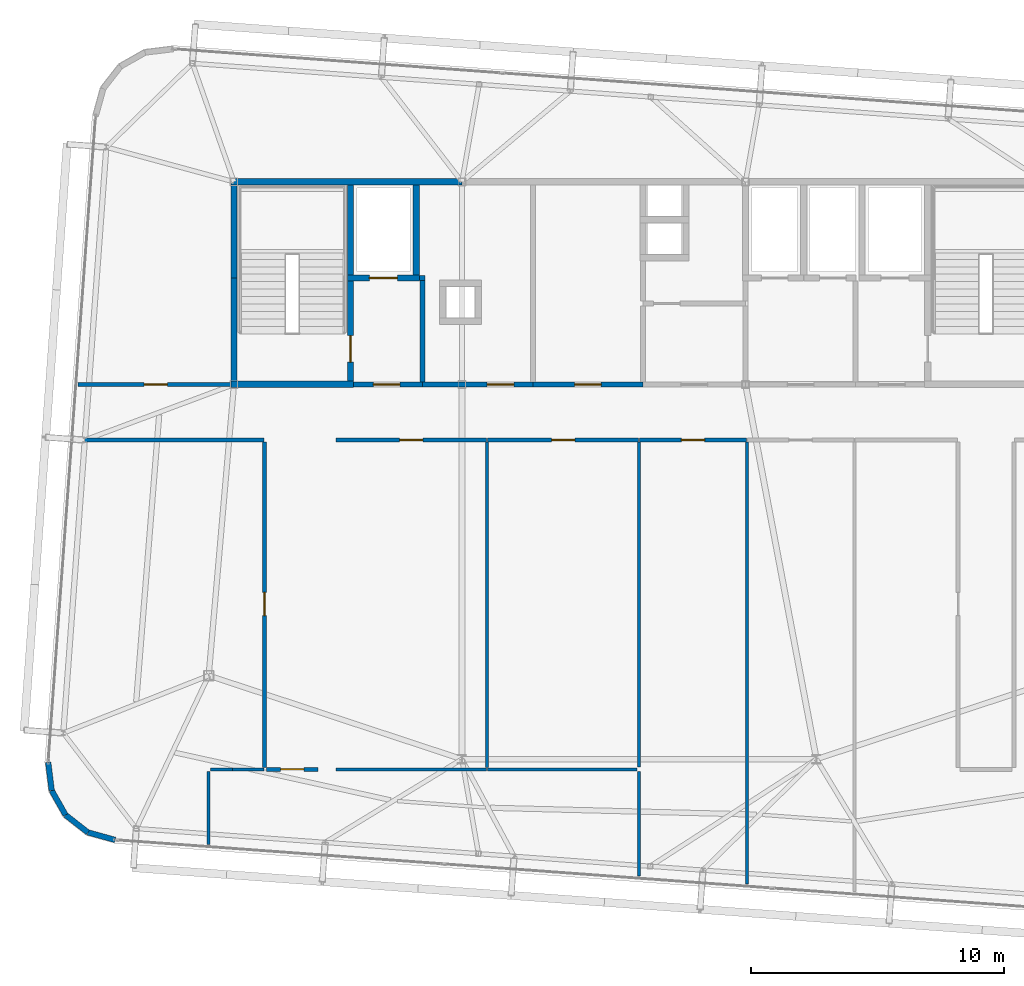
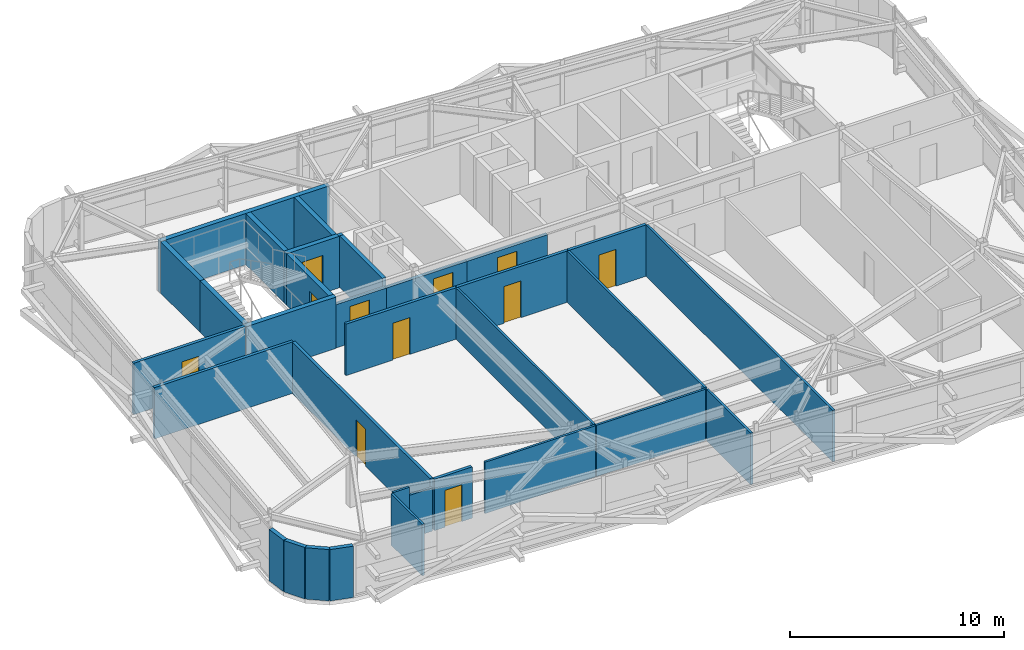
# One storey, part 31 of 34: 33 walls, 11 doors, 11 openings.
"""IFC4 building model written with IfcOpenShell, lengths in metres."""

from ifc_helpers import new_model, si_unit, direction, frame, frame_2d, origin, place, context, subcontext, project, spatial, rectangle, extrude, source, transform, mapped, material, layer, layer_set, type_object, element, fill, save


model = new_model("IFC4")

# Units and contexts
model_context = context("Model", 3, precision=1e-05, world=origin(), true_north=direction((0.0, 1.0)))
body_context = subcontext(model_context, "Body", "Model", "MODEL_VIEW")
ifc_project = project(units=[si_unit("LENGTHUNIT", "METRE"), si_unit("AREAUNIT", "SQUARE_METRE"), si_unit("VOLUMEUNIT", "CUBIC_METRE"), si_unit("PLANEANGLEUNIT", "RADIAN"), si_unit("MASSUNIT", "GRAM", prefix="KILO")], contexts=[model_context])

# Site, building, storey
site_placement = place(None, origin())
site = spatial("IfcSite", under=ifc_project, at=site_placement, CompositionType="ELEMENT")
building_placement = place(site_placement, origin())
building = spatial("IfcBuilding", under=site, at=building_placement, Name="Taldren Reach Tower", CompositionType="ELEMENT")
storey_placement = place(building_placement, frame((0.0, 0.0, 242.89990234375)))
storey = spatial("IfcBuildingStorey", under=building, at=storey_placement, Name="L74", CompositionType="ELEMENT", Elevation=242.89990234375)

# Walls
ifc_material_1 = material(Name="Pale Champagne Anodised Aluminium Cladding", Category="aluminium")
ifc_layer_1 = layer(ifc_material_1, 0.04, Name="Pale Champagne Anodised Aluminium Cladding", Category="aluminium")
ifc_material_2 = material(Name="Mineral Wool Acoustic Insulation", Category="insulation")
ifc_layer_2 = layer(ifc_material_2, 0.06, Name="Mineral Wool Acoustic Insulation", Category="insulation")
ifc_material_3 = material(Name="Steel Gr 350 (C350L0)", Category="steel")
ifc_layer_3 = layer(ifc_material_3, 0.12, Name="Steel Gr 350 (C350L0)", Category="steel")
ifc_layer_set_1 = layer_set([ifc_layer_1, ifc_layer_2, ifc_layer_3], Name="Pale Champagne Aluminium Cladding and Steel Gr 350 Stud Framing")
wall_type_1 = type_object("IfcWallType", Name="EW-CRN-220", PredefinedType="SOLIDWALL", material=ifc_layer_set_1)
shared_shape_1 = source(origin(), body_context, "Body", "SweptSolid", [
    extrude(rectangle(XDim=1.115966796875, YDim=0.219970703125, at=frame_2d((0.55810546875, 0.0))), origin(), (0.0, 0.0, 1.0), 2.93017578125),
])
for number, where, z_axis, x_axis, name in (
    (1, (11.66259765625, 9.072021484375, 0.0), (0.0, 0.0, 1.0), (0.122742076028, -0.992438604032, 0.0), "Rounded-corner pale-metal facade wall L74-SW1"),
    (2, (11.799560546875, 7.964599609375, 0.0), (0.0, 0.0, 1.0), (0.493073284892, -0.869987779067, 0.0), "Rounded-corner pale-metal facade wall L74-SW2"),
    (3, (12.349853515625, 6.99365234375, 0.0), (0.0, 0.0, 1.0), (0.788597772321, -0.614909386406, 0.0), "Rounded-corner pale-metal facade wall L74-SW3"),
):
    element("IfcWall", number, at=place(storey_placement, frame(where, z_axis=z_axis, x_axis=x_axis)), inside=storey, type_object=wall_type_1, Name=name, PredefinedType="SOLIDWALL", context=body_context, shape_type="MappedRepresentation", body=[
        mapped(shared_shape_1, transform((0.0, 0.0, 0.0), scale=1.0)),
    ])
shared_shape_2 = source(origin(), body_context, "Body", "SweptSolid", [
    extrude(rectangle(XDim=1.11572265625, YDim=0.219970703125, at=frame_2d((0.557861328125, 0.0))), origin(), (0.0, 0.0, 1.0), 2.93017578125),
])
wall_1_placement = place(storey_placement, frame((13.22998046875, 6.307373046875, 0.0), z_axis=(0.0, 0.0, 1.0), x_axis=(0.963890028874, -0.266300605026, 0.0)))
element("IfcWall", 4, at=wall_1_placement, inside=storey, type_object=wall_type_1, Name="Rounded-corner pale-metal facade wall L74-SW4", PredefinedType="SOLIDWALL", context=body_context, shape_type="MappedRepresentation", body=[
    mapped(shared_shape_2, transform((0.0, 0.0, 0.0), scale=1.0)),
])

# Wall, opening, door
ifc_material_4 = material(Name="Concrete S50 (50 MPa)", Category="concrete")
ifc_layer_4 = layer(ifc_material_4, 0.199951171875)
ifc_layer_set_2 = layer_set([ifc_layer_4], Name="Concrete S50 (50 MPa)")
wall_type_2 = type_object("IfcWallType", Name="IW-CORE-200", PredefinedType="SOLIDWALL", material=ifc_layer_set_2)
shared_shape_3 = source(origin(), body_context, "Body", "SweptSolid", [
    extrude(rectangle(XDim=4.35009765625, YDim=0.199951171875, at=frame_2d((2.175048828125, 0.0))), origin(), (0.0, 0.0, 1.0), 2.47021484375),
])
wall_2_placement = place(storey_placement, frame((30.800048828125, 24.0, 0.0), z_axis=(0.0, 0.0, 1.0), x_axis=(-1.0, 0.0, 0.0)))
wall_2 = element("IfcWall", 5, at=wall_2_placement, inside=storey, type_object=wall_type_2, Name="Rear Core Shear Wall W-INT-L74-033", PredefinedType="SOLIDWALL", context=body_context, shape_type="MappedRepresentation", body=[
    mapped(shared_shape_3, transform((0.0, 0.0, 0.0), scale=1.0)),
])
shared_shape_4 = source(origin(), body_context, "Body", "SweptSolid", [
    extrude(rectangle(XDim=1.050048828125, YDim=2.10009765625, at=frame_2d((0.52490234375, 1.050048828125))), frame((0.0, 0.10986328125, 0.0), z_axis=(0.0, -1.0, 0.0), x_axis=(1.0, 0.0, 0.0)), (0.0, 0.0, 1.0), 0.219970703125),
])
opening_1_placement = place(wall_2_placement, frame((0.75, 0.0, 0.0)))
opening_1 = element("IfcOpeningElement", 6, at=opening_1_placement, cuts=wall_2, Name="Opening DF-105", PredefinedType="OPENING", context=body_context, shape_type="MappedRepresentation", body=[
    mapped(shared_shape_4, transform((0.0, 0.0, 0.0), scale=1.0)),
])
ifc_material_5 = material(Name="Fire-Rated Care and Stair Exit Door")
door_type_1 = type_object("IfcDoorType", Name="ID-FIRE-105", OperationType="NOTDEFINED", PredefinedType="DOOR", material=ifc_material_5)
shared_shape_5 = source(origin(), body_context, "Body", "SweptSolid", [
    extrude(rectangle(XDim=1.050048828125, YDim=2.10009765625, at=frame_2d((0.52490234375, 1.050048828125))), frame((0.0, 0.02490234375, 0.0), z_axis=(0.0, -1.0, 0.0), x_axis=(1.0, 0.0, 0.0)), (0.0, 0.0, 1.0), 0.050048828125),
])
door_1_placement = place(opening_1_placement, frame((1.050048828125, 0.0, 0.0), z_axis=(0.0, 0.0, 1.0), x_axis=(-1.0, 0.0, 0.0)))
door_1 = element("IfcDoor", 7, at=door_1_placement, inside=storey, type_object=door_type_1, Name="Interior Door DR-L74-006", OperationType="SINGLE_SWING_RIGHT", OverallHeight=2.10009765625, OverallWidth=1.050048828125, PredefinedType="DOOR", context=body_context, shape_type="MappedRepresentation", body=[
    mapped(shared_shape_5, transform((0.0, 0.0, 0.0), scale=1.0)),
])
fill(opening_1, door_1)

ifc_material_6 = material(Name="Fire-Rated Acoustic Plasterboard Stud Wall", Category="gypsum")
ifc_layer_5 = layer(ifc_material_6, 0.159912109375)
ifc_layer_set_3 = layer_set([ifc_layer_5], Name="Fire-Rated Acoustic Plasterboard Stud Wall")
wall_type_3 = type_object("IfcWallType", Name="IW-FIRE-160", PredefinedType="PARTITIONING", material=ifc_layer_set_3)
shared_shape_6 = source(origin(), body_context, "Body", "SweptSolid", [
    extrude(rectangle(XDim=2.0400390625, YDim=0.159912109375, at=frame_2d((1.02001953125, 0.0))), origin(), (0.0, 0.0, 1.0), 2.93017578125),
])
wall_3_placement = place(storey_placement, frame((22.320068359375, 8.800048828125, 0.0), z_axis=(0.0, 0.0, 1.0), x_axis=(-1.0, 0.0, 0.0)))
wall_3 = element("IfcWall", 8, at=wall_3_placement, inside=storey, type_object=wall_type_3, Name="Interior Partition Wall W-INT-L74-039", PredefinedType="PARTITIONING", context=body_context, shape_type="MappedRepresentation", body=[
    mapped(shared_shape_6, transform((0.0, 0.0, 0.0), scale=1.0)),
])
shared_shape_7 = source(origin(), body_context, "Body", "SweptSolid", [
    extrude(rectangle(XDim=0.919921875, YDim=2.10009765625, at=frame_2d((0.4599609375, 1.050048828125))), frame((0.0, 0.08984375, 0.0), z_axis=(0.0, -1.0, 0.0), x_axis=(1.0, 0.0, 0.0)), (0.0, 0.0, 1.0), 0.179931640625),
])
opening_2_placement = place(wall_3_placement, frame((0.56005859375, 0.0, 0.0)))
opening_2 = element("IfcOpeningElement", 9, at=opening_2_placement, cuts=wall_3, Name="Opening DI-092", PredefinedType="OPENING", context=body_context, shape_type="MappedRepresentation", body=[
    mapped(shared_shape_7, transform((0.0, 0.0, 0.0), scale=1.0)),
])
ifc_material_7 = material(Name="Solid-Core Timber Suite Door", Category="wood")
door_type_2 = type_object("IfcDoorType", Name="ID-INT-092", OperationType="NOTDEFINED", PredefinedType="DOOR", material=ifc_material_7)
shared_shape_8 = source(origin(), body_context, "Body", "SweptSolid", [
    extrude(rectangle(XDim=0.919921875, YDim=2.10009765625, at=frame_2d((0.4599609375, 1.050048828125))), frame((0.0, 0.02490234375, 0.0), z_axis=(0.0, -1.0, 0.0), x_axis=(1.0, 0.0, 0.0)), (0.0, 0.0, 1.0), 0.050048828125),
])
door_2_placement = place(opening_2_placement, origin())
door_2 = element("IfcDoor", 10, at=door_2_placement, inside=storey, type_object=door_type_2, Name="Interior Door DR-L74-010", OperationType="SINGLE_SWING_LEFT", OverallHeight=2.10009765625, OverallWidth=0.919921875, PredefinedType="DOOR", context=body_context, shape_type="MappedRepresentation", body=[
    mapped(shared_shape_8, transform((0.0, 0.0, 0.0), scale=1.0)),
])
fill(opening_2, door_2)

shared_shape_9 = source(origin(), body_context, "Body", "SweptSolid", [
    extrude(rectangle(XDim=5.95947265625, YDim=0.159912109375, at=frame_2d((2.979736328125, 0.0))), origin(), (0.0, 0.0, 1.0), 2.93017578125),
])
wall_4_placement = place(storey_placement, frame((28.979736328125, 21.800048828125, 0.0), z_axis=(0.0, 0.0, 1.0), x_axis=(-1.0, 0.0, 0.0)))
wall_4 = element("IfcWall", 11, at=wall_4_placement, inside=storey, type_object=wall_type_3, Name="Interior Partition Wall W-INT-L74-043", PredefinedType="PARTITIONING", context=body_context, shape_type="MappedRepresentation", body=[
    mapped(shared_shape_9, transform((0.0, 0.0, 0.0), scale=1.0)),
])
opening_3_placement = place(wall_4_placement, frame((2.519775390625, 0.0, 0.0)))
opening_3 = element("IfcOpeningElement", 12, at=opening_3_placement, cuts=wall_4, Name="Opening DI-092", PredefinedType="OPENING", context=body_context, shape_type="MappedRepresentation", body=[
    mapped(shared_shape_7, transform((0.0, 0.0, 0.0), scale=1.0)),
])
door_3_placement = place(opening_3_placement, origin())
door_3 = element("IfcDoor", 13, at=door_3_placement, inside=storey, type_object=door_type_2, Name="Interior Door DR-L74-013", OperationType="SINGLE_SWING_RIGHT", OverallHeight=2.10009765625, OverallWidth=0.919921875, PredefinedType="DOOR", context=body_context, shape_type="MappedRepresentation", body=[
    mapped(shared_shape_8, transform((0.0, 0.0, 0.0), scale=1.0)),
])
fill(opening_3, door_3)

wall_5_placement = place(storey_placement, frame((34.979736328125, 21.800048828125, 0.0), z_axis=(0.0, 0.0, 1.0), x_axis=(-1.0, 0.0, 0.0)))
wall_5 = element("IfcWall", 14, at=wall_5_placement, inside=storey, type_object=wall_type_3, Name="Interior Partition Wall W-INT-L74-044", PredefinedType="PARTITIONING", context=body_context, shape_type="MappedRepresentation", body=[
    mapped(shared_shape_9, transform((0.0, 0.0, 0.0), scale=1.0)),
])
opening_4_placement = place(wall_5_placement, frame((2.519775390625, 0.0, 0.0)))
opening_4 = element("IfcOpeningElement", 15, at=opening_4_placement, cuts=wall_5, Name="Opening DI-092", PredefinedType="OPENING", context=body_context, shape_type="MappedRepresentation", body=[
    mapped(shared_shape_7, transform((0.0, 0.0, 0.0), scale=1.0)),
])
door_4_placement = place(opening_4_placement, origin())
door_4 = element("IfcDoor", 16, at=door_4_placement, inside=storey, type_object=door_type_2, Name="Interior Door DR-L74-014", OperationType="SINGLE_SWING_LEFT", OverallHeight=2.10009765625, OverallWidth=0.919921875, PredefinedType="DOOR", context=body_context, shape_type="MappedRepresentation", body=[
    mapped(shared_shape_8, transform((0.0, 0.0, 0.0), scale=1.0)),
])
fill(opening_4, door_4)

# Walls
shared_shape_10 = source(origin(), body_context, "Body", "SweptSolid", [
    extrude(rectangle(XDim=4.0, YDim=0.199951171875, at=frame_2d((2.0, 0.0))), origin(), (0.0, 0.0, 1.0), 2.93017578125),
])
wall_6_placement = place(storey_placement, frame((26.449951171875, 24.10009765625, 0.0), z_axis=(0.0, 0.0, 1.0), x_axis=(0.0, 1.0, 0.0)))
element("IfcWall", 17, at=wall_6_placement, inside=storey, type_object=wall_type_2, Name="Rear Core Shear Wall W-INT-L74-006", PredefinedType="SOLIDWALL", context=body_context, shape_type="MappedRepresentation", body=[
    mapped(shared_shape_10, transform((0.0, 0.0, 0.0), scale=1.0)),
])
ifc_material_8 = material(Name="Concrete S65 (65 MPa)", Category="concrete")
ifc_layer_6 = layer(ifc_material_8, 0.25)
ifc_layer_set_4 = layer_set([ifc_layer_6], Name="Concrete S65 (65 MPa)")
wall_type_4 = type_object("IfcWallType", Name="IW-CORE-250", PredefinedType="SHEAR", material=ifc_layer_set_4)
shared_shape_11 = source(origin(), body_context, "Body", "SweptSolid", [
    extrude(rectangle(XDim=9.125, YDim=0.25, at=frame_2d((4.5625, 0.0))), origin(), (0.0, 0.0, 1.0), 2.93017578125),
])
wall_7_placement = place(storey_placement, frame((18.875, 32.0, 0.0), z_axis=(0.0, 0.0, 1.0), x_axis=(1.0, 0.0, 0.0)))
element("IfcWall", 18, at=wall_7_placement, inside=storey, type_object=wall_type_4, Name="Rear Core Shear Wall W-CORE-L74-NORTH1", PredefinedType="SHEAR", context=body_context, shape_type="MappedRepresentation", body=[
    mapped(shared_shape_11, transform((0.0, 0.0, 0.0), scale=1.0)),
])
shared_shape_12 = source(origin(), body_context, "Body", "SweptSolid", [
    extrude(rectangle(XDim=4.074951171875, YDim=0.25, at=frame_2d((2.03759765625, 0.0))), origin(), (0.0, 0.0, 1.0), 2.93017578125),
])
wall_8_placement = place(storey_placement, frame((19.0, 24.125, 0.0), z_axis=(0.0, 0.0, 1.0), x_axis=(0.0, 1.0, 0.0)))
element("IfcWall", 19, at=wall_8_placement, inside=storey, type_object=wall_type_4, Name="Rear Core Shear Wall W-CORE-L74-WEST1", PredefinedType="SHEAR", context=body_context, shape_type="MappedRepresentation", body=[
    mapped(shared_shape_12, transform((0.0, 0.0, 0.0), scale=1.0)),
])
shared_shape_13 = source(origin(), body_context, "Body", "SweptSolid", [
    extrude(rectangle(XDim=3.675048828125, YDim=0.25, at=frame_2d((1.83740234375, 0.0))), origin(), (0.0, 0.0, 1.0), 2.93017578125),
])
wall_9_placement = place(storey_placement, frame((19.0, 28.199951171875, 0.0), z_axis=(0.0, 0.0, 1.0), x_axis=(0.0, 1.0, 0.0)))
element("IfcWall", 20, at=wall_9_placement, inside=storey, type_object=wall_type_4, Name="Rear Core Shear Wall W-CORE-L74-WEST2", PredefinedType="SHEAR", context=body_context, shape_type="MappedRepresentation", body=[
    mapped(shared_shape_13, transform((0.0, 0.0, 0.0), scale=1.0)),
])
shared_shape_14 = source(origin(), body_context, "Body", "SweptSolid", [
    extrude(rectangle(XDim=3.550048828125, YDim=0.25, at=frame_2d((1.77490234375, 0.0))), origin(), (0.0, 0.0, 1.0), 2.93017578125),
])
for number, where, z_axis, x_axis, name in (
    (21, (23.60009765625, 28.324951171875, 0.0), (0.0, 0.0, 1.0), (0.0, 1.0, 0.0), "Rear Core Shear Wall W-INT-L74-001"),
    (22, (26.199951171875, 28.324951171875, 0.0), (0.0, 0.0, 1.0), (0.0, 1.0, 0.0), "Rear Core Shear Wall W-INT-L74-005"),
):
    element("IfcWall", number, at=place(storey_placement, frame(where, z_axis=z_axis, x_axis=x_axis)), inside=storey, type_object=wall_type_4, Name=name, PredefinedType="SHEAR", context=body_context, shape_type="MappedRepresentation", body=[
        mapped(shared_shape_14, transform((0.0, 0.0, 0.0), scale=1.0)),
    ])

# Wall, opening, door
shared_shape_15 = source(origin(), body_context, "Body", "SweptSolid", [
    extrude(rectangle(XDim=3.949951171875, YDim=0.25, at=frame_2d((1.97509765625, 0.0))), origin(), (0.0, 0.0, 1.0), 2.93017578125),
])
wall_10_placement = place(storey_placement, frame((23.60009765625, 24.125, 0.0), z_axis=(0.0, 0.0, 1.0), x_axis=(0.0, 1.0, 0.0)))
wall_10 = element("IfcWall", 23, at=wall_10_placement, inside=storey, type_object=wall_type_4, Name="Rear Core Shear Wall W-INT-L74-002", PredefinedType="SHEAR", context=body_context, shape_type="MappedRepresentation", body=[
    mapped(shared_shape_15, transform((0.0, 0.0, 0.0), scale=1.0)),
])
shared_shape_16 = source(origin(), body_context, "Body", "SweptSolid", [
    extrude(rectangle(XDim=1.050048828125, YDim=2.10009765625, at=frame_2d((0.52490234375, 1.050048828125))), frame((0.0, 0.135009765625, 0.0), z_axis=(0.0, -1.0, 0.0), x_axis=(1.0, 0.0, 0.0)), (0.0, 0.0, 1.0), 0.27001953125),
])
opening_5_placement = place(wall_10_placement, frame((0.75, 0.0, 0.0)))
opening_5 = element("IfcOpeningElement", 24, at=opening_5_placement, cuts=wall_10, Name="Opening DF-105", PredefinedType="OPENING", context=body_context, shape_type="MappedRepresentation", body=[
    mapped(shared_shape_16, transform((0.0, 0.0, 0.0), scale=1.0)),
])
door_5_placement = place(opening_5_placement, origin())
door_5 = element("IfcDoor", 25, at=door_5_placement, inside=storey, type_object=door_type_1, Name="Fire Exit Stair Door DR-L74-001", OperationType="SINGLE_SWING_LEFT", OverallHeight=2.10009765625, OverallWidth=1.050048828125, PredefinedType="DOOR", context=body_context, shape_type="MappedRepresentation", body=[
    mapped(shared_shape_5, transform((0.0, 0.0, 0.0), scale=1.0)),
])
fill(opening_5, door_5)

# Wall
shared_shape_17 = source(origin(), body_context, "Body", "SweptSolid", [
    extrude(rectangle(XDim=4.85009765625, YDim=0.25, at=frame_2d((2.425048828125, 0.0))), origin(), (0.0, 0.0, 1.0), 2.93017578125),
])
wall_11_placement = place(storey_placement, frame((18.875, 24.0, 0.0), z_axis=(0.0, 0.0, 1.0), x_axis=(1.0, 0.0, 0.0)))
element("IfcWall", 26, at=wall_11_placement, inside=storey, type_object=wall_type_4, Name="Rear Core Shear Wall W-INT-L74-003", PredefinedType="SHEAR", context=body_context, shape_type="MappedRepresentation", body=[
    mapped(shared_shape_17, transform((0.0, 0.0, 0.0), scale=1.0)),
])

# Wall, opening, door
shared_shape_18 = source(origin(), body_context, "Body", "SweptSolid", [
    extrude(rectangle(XDim=2.849853515625, YDim=0.25, at=frame_2d((1.4248046875, 0.0))), origin(), (0.0, 0.0, 1.0), 2.93017578125),
])
wall_12_placement = place(storey_placement, frame((23.47509765625, 28.199951171875, 0.0), z_axis=(0.0, 0.0, 1.0), x_axis=(1.0, 0.0, 0.0)))
wall_12 = element("IfcWall", 27, at=wall_12_placement, inside=storey, type_object=wall_type_4, Name="Rear Core Shear Wall W-INT-L74-004", PredefinedType="SHEAR", context=body_context, shape_type="MappedRepresentation", body=[
    mapped(shared_shape_18, transform((0.0, 0.0, 0.0), scale=1.0)),
])
shared_shape_19 = source(origin(), body_context, "Body", "SweptSolid", [
    extrude(rectangle(XDim=1.10009765625, YDim=2.14990234375, at=frame_2d((0.550048828125, 1.074951171875))), frame((0.0, 0.135009765625, 0.0), z_axis=(0.0, -1.0, 0.0), x_axis=(1.0, 0.0, 0.0)), (0.0, 0.0, 1.0), 0.27001953125),
])
opening_6_placement = place(wall_12_placement, frame((0.875, 0.0, 0.0)))
opening_6 = element("IfcOpeningElement", 28, at=opening_6_placement, cuts=wall_12, Name="Opening LD-FL1", PredefinedType="OPENING", context=body_context, shape_type="MappedRepresentation", body=[
    mapped(shared_shape_19, transform((0.0, 0.0, 0.0), scale=1.0)),
])
ifc_material_9 = material(Name="Stainless Steel Gr 316 Emergency Lift Landing Door", Category="steel")
door_type_3 = type_object("IfcDoorType", Name="LD-EMG-110", OperationType="SLIDING_TO_LEFT", PredefinedType="DOOR", material=ifc_material_9)
shared_shape_20 = source(origin(), body_context, "Body", "SweptSolid", [
    extrude(rectangle(XDim=1.10009765625, YDim=2.14990234375, at=frame_2d((0.550048828125, 1.074951171875))), frame((0.0, 0.02490234375, 0.0), z_axis=(0.0, -1.0, 0.0), x_axis=(1.0, 0.0, 0.0)), (0.0, 0.0, 1.0), 0.050048828125),
])
door_6_placement = place(opening_6_placement, origin())
door_6 = element("IfcDoor", 29, at=door_6_placement, inside=storey, type_object=door_type_3, Name="Lift Landing Door LD-FL1-L74", OperationType="SLIDING_TO_LEFT", OverallHeight=2.14990234375, OverallWidth=1.10009765625, PredefinedType="DOOR", context=body_context, shape_type="MappedRepresentation", body=[
    mapped(shared_shape_20, transform((0.0, 0.0, 0.0), scale=1.0)),
])
fill(opening_6, door_6)

shared_shape_21 = source(origin(), body_context, "Body", "SweptSolid", [
    extrude(rectangle(XDim=2.724853515625, YDim=0.199951171875, at=frame_2d((1.3623046875, 0.0))), origin(), (0.0, 0.0, 1.0), 2.47021484375),
])
wall_13_placement = place(storey_placement, frame((23.72509765625, 24.0, 0.0), z_axis=(0.0, 0.0, 1.0), x_axis=(1.0, 0.0, 0.0)))
wall_13 = element("IfcWall", 30, at=wall_13_placement, inside=storey, type_object=wall_type_2, Name="Rear Core Shear Wall W-INT-L74-007", PredefinedType="SOLIDWALL", context=body_context, shape_type="MappedRepresentation", body=[
    mapped(shared_shape_21, transform((0.0, 0.0, 0.0), scale=1.0)),
])
opening_7_placement = place(wall_13_placement, frame((0.77490234375, 0.0, 0.0)))
opening_7 = element("IfcOpeningElement", 31, at=opening_7_placement, cuts=wall_13, Name="Opening DF-105", PredefinedType="OPENING", context=body_context, shape_type="MappedRepresentation", body=[
    mapped(shared_shape_4, transform((0.0, 0.0, 0.0), scale=1.0)),
])
door_7_placement = place(opening_7_placement, origin())
door_7 = element("IfcDoor", 32, at=door_7_placement, inside=storey, type_object=door_type_1, Name="Interior Door DR-L74-002", OperationType="SINGLE_SWING_LEFT", OverallHeight=2.10009765625, OverallWidth=1.050048828125, PredefinedType="DOOR", context=body_context, shape_type="MappedRepresentation", body=[
    mapped(shared_shape_5, transform((0.0, 0.0, 0.0), scale=1.0)),
])
fill(opening_7, door_7)

shared_shape_22 = source(origin(), body_context, "Body", "SweptSolid", [
    extrude(rectangle(XDim=12.840087890625, YDim=0.159912109375, at=frame_2d((6.419921875, 0.0))), origin(), (0.0, 0.0, 1.0), 2.93017578125),
])
wall_14_placement = place(storey_placement, frame((20.199951171875, 8.8798828125, 0.0), z_axis=(0.0, 0.0, 1.0), x_axis=(0.0, 1.0, 0.0)))
wall_14 = element("IfcWall", 33, at=wall_14_placement, inside=storey, type_object=wall_type_3, Name="Interior Partition Wall W-INT-L74-041", PredefinedType="PARTITIONING", context=body_context, shape_type="MappedRepresentation", body=[
    mapped(shared_shape_22, transform((0.0, 0.0, 0.0), scale=1.0)),
])
opening_8_placement = place(wall_14_placement, frame((5.98974609375, 0.0, 0.0)))
opening_8 = element("IfcOpeningElement", 34, at=opening_8_placement, cuts=wall_14, Name="Opening DI-092", PredefinedType="OPENING", context=body_context, shape_type="MappedRepresentation", body=[
    mapped(shared_shape_7, transform((0.0, 0.0, 0.0), scale=1.0)),
])
door_8_placement = place(opening_8_placement, origin())
door_8 = element("IfcDoor", 35, at=door_8_placement, inside=storey, type_object=door_type_2, Name="Interior Door DR-L74-012", OperationType="SINGLE_SWING_LEFT", OverallHeight=2.10009765625, OverallWidth=0.919921875, PredefinedType="DOOR", context=body_context, shape_type="MappedRepresentation", body=[
    mapped(shared_shape_8, transform((0.0, 0.0, 0.0), scale=1.0)),
])
fill(opening_8, door_8)

# Walls
ifc_material_10 = material(Name="Insulated Residential Stud Partition", Category="gypsum")
ifc_layer_7 = layer(ifc_material_10, 0.1201171875)
ifc_layer_set_5 = layer_set([ifc_layer_7], Name="Insulated Residential Stud Partition")
wall_type_5 = type_object("IfcWallType", Name="IW-PART-120", PredefinedType="PARTITIONING", material=ifc_layer_set_5)
shared_shape_23 = source(origin(), body_context, "Body", "SweptSolid", [
    extrude(rectangle(XDim=12.840087890625, YDim=0.1201171875, at=frame_2d((6.419921875, 0.0))), origin(), (0.0, 0.0, 1.0), 2.93017578125),
])
wall_15_placement = place(storey_placement, frame((29.0, 21.719970703125, 0.0), z_axis=(0.0, 0.0, 1.0), x_axis=(0.0, -1.0, 0.0)))
element("IfcWall", 36, at=wall_15_placement, inside=storey, type_object=wall_type_5, Name="Interior Partition Wall W-INT-L74-059", PredefinedType="PARTITIONING", context=body_context, shape_type="MappedRepresentation", body=[
    mapped(shared_shape_23, transform((0.0, 0.0, 0.0), scale=1.0)),
])
shared_shape_24 = source(origin(), body_context, "Body", "SweptSolid", [
    extrude(rectangle(XDim=12.8359375, YDim=0.1201171875, at=frame_2d((6.41796875, 0.0))), origin(), (0.0, 0.0, 1.0), 2.93017578125),
])
wall_16_placement = place(storey_placement, frame((35.0, 21.718017578125, 0.0), z_axis=(0.0, 0.0, 1.0), x_axis=(0.0, -1.0, 0.0)))
element("IfcWall", 37, at=wall_16_placement, inside=storey, type_object=wall_type_5, Name="Interior Partition Wall W-INT-L74-060", PredefinedType="PARTITIONING", context=body_context, shape_type="MappedRepresentation", body=[
    mapped(shared_shape_24, transform((0.0, 0.0, 0.0), scale=1.0)),
])
shared_shape_25 = source(origin(), body_context, "Body", "SweptSolid", [
    extrude(rectangle(XDim=0.22509765625, YDim=0.199951171875, at=frame_2d((0.112548828125, 0.0))), origin(), (0.0, 0.0, 1.0), 2.93017578125),
])
wall_17_placement = place(storey_placement, frame((26.324951171875, 28.199951171875, 0.0), z_axis=(0.0, 0.0, 1.0), x_axis=(1.0, 0.0, 0.0)))
element("IfcWall", 38, at=wall_17_placement, inside=storey, type_object=wall_type_2, Name="Rear Core Partition Wall W-INT-L74-064", PredefinedType="SOLIDWALL", context=body_context, shape_type="MappedRepresentation", body=[
    mapped(shared_shape_25, transform((0.0, 0.0, 0.0), scale=1.0)),
])

# Wall, opening, door
shared_shape_26 = source(origin(), body_context, "Body", "SweptSolid", [
    extrude(rectangle(XDim=4.349853515625, YDim=0.199951171875, at=frame_2d((2.1748046875, 0.0))), origin(), (0.0, 0.0, 1.0), 2.47021484375),
])
wall_18_placement = place(storey_placement, frame((35.14990234375, 24.0, 0.0), z_axis=(0.0, 0.0, 1.0), x_axis=(-1.0, 0.0, 0.0)))
wall_18 = element("IfcWall", 39, at=wall_18_placement, inside=storey, type_object=wall_type_2, Name="Rear Core Shear Wall W-INT-L74-036", PredefinedType="SOLIDWALL", context=body_context, shape_type="MappedRepresentation", body=[
    mapped(shared_shape_26, transform((0.0, 0.0, 0.0), scale=1.0)),
])
opening_9_placement = place(wall_18_placement, frame((1.64990234375, 0.0, 0.0)))
opening_9 = element("IfcOpeningElement", 40, at=opening_9_placement, cuts=wall_18, Name="Opening DF-105", PredefinedType="OPENING", context=body_context, shape_type="MappedRepresentation", body=[
    mapped(shared_shape_4, transform((0.0, 0.0, 0.0), scale=1.0)),
])
door_9_placement = place(opening_9_placement, frame((1.050048828125, 0.0, 0.0), z_axis=(0.0, 0.0, 1.0), x_axis=(-1.0, 0.0, 0.0)))
door_9 = element("IfcDoor", 41, at=door_9_placement, inside=storey, type_object=door_type_1, Name="Interior Door DR-L74-007", OperationType="SINGLE_SWING_LEFT", OverallHeight=2.10009765625, OverallWidth=1.050048828125, PredefinedType="DOOR", context=body_context, shape_type="MappedRepresentation", body=[
    mapped(shared_shape_5, transform((0.0, 0.0, 0.0), scale=1.0)),
])
fill(opening_9, door_9)

shared_shape_27 = source(origin(), body_context, "Body", "SweptSolid", [
    extrude(rectangle(XDim=6.03173828125, YDim=0.159912109375, at=frame_2d((3.015869140625, 0.0))), origin(), (0.0, 0.0, 1.0), 2.93017578125),
])
wall_19_placement = place(storey_placement, frame((12.84326171875, 24.0, 0.0), z_axis=(0.0, 0.0, 1.0), x_axis=(1.0, 0.0, 0.0)))
wall_19 = element("IfcWall", 42, at=wall_19_placement, inside=storey, type_object=wall_type_3, Name="Interior Partition Wall W-INT-L74-040", PredefinedType="PARTITIONING", context=body_context, shape_type="MappedRepresentation", body=[
    mapped(shared_shape_27, transform((0.0, 0.0, 0.0), scale=1.0)),
])
opening_10_placement = place(wall_19_placement, frame((2.6083984375, 0.0, 0.0)))
opening_10 = element("IfcOpeningElement", 43, at=opening_10_placement, cuts=wall_19, Name="Opening DI-092", PredefinedType="OPENING", context=body_context, shape_type="MappedRepresentation", body=[
    mapped(shared_shape_7, transform((0.0, 0.0, 0.0), scale=1.0)),
])
door_10_placement = place(opening_10_placement, origin())
door_10 = element("IfcDoor", 44, at=door_10_placement, inside=storey, type_object=door_type_2, Name="Interior Door DR-L74-011", OperationType="SINGLE_SWING_RIGHT", OverallHeight=2.10009765625, OverallWidth=0.919921875, PredefinedType="DOOR", context=body_context, shape_type="MappedRepresentation", body=[
    mapped(shared_shape_8, transform((0.0, 0.0, 0.0), scale=1.0)),
])
fill(opening_10, door_10)

# Wall
shared_shape_28 = source(origin(), body_context, "Body", "SweptSolid", [
    extrude(rectangle(XDim=7.486328125, YDim=0.159912109375, at=frame_2d((3.7431640625, 0.0))), origin(), (0.0, 0.0, 1.0), 2.93017578125),
])
wall_20_placement = place(storey_placement, frame((20.1796875, 21.800048828125, 0.0), z_axis=(0.0, 0.0, 1.0), x_axis=(-1.0, 0.0, 0.0)))
element("IfcWall", 45, at=wall_20_placement, inside=storey, type_object=wall_type_3, Name="Interior Partition Wall W-INT-L74-042", PredefinedType="PARTITIONING", context=body_context, shape_type="MappedRepresentation", body=[
    mapped(shared_shape_28, transform((0.0, 0.0, 0.0), scale=1.0)),
])

# Wall, opening, door
shared_shape_29 = source(origin(), body_context, "Body", "SweptSolid", [
    extrude(rectangle(XDim=4.20947265625, YDim=0.159912109375, at=frame_2d((2.104736328125, 0.0))), origin(), (0.0, 0.0, 1.0), 2.93017578125),
])
wall_21_placement = place(storey_placement, frame((39.229736328125, 21.800048828125, 0.0), z_axis=(0.0, 0.0, 1.0), x_axis=(-1.0, 0.0, 0.0)))
wall_21 = element("IfcWall", 46, at=wall_21_placement, inside=storey, type_object=wall_type_3, Name="Interior Partition Wall W-INT-L74-046", PredefinedType="PARTITIONING", context=body_context, shape_type="MappedRepresentation", body=[
    mapped(shared_shape_29, transform((0.0, 0.0, 0.0), scale=1.0)),
])
opening_11_placement = place(wall_21_placement, frame((1.644775390625, 0.0, 0.0)))
opening_11 = element("IfcOpeningElement", 47, at=opening_11_placement, cuts=wall_21, Name="Opening DI-092", PredefinedType="OPENING", context=body_context, shape_type="MappedRepresentation", body=[
    mapped(shared_shape_7, transform((0.0, 0.0, 0.0), scale=1.0)),
])
door_11_placement = place(opening_11_placement, origin())
door_11 = element("IfcDoor", 48, at=door_11_placement, inside=storey, type_object=door_type_2, Name="Interior Door DR-L74-016", OperationType="SINGLE_SWING_LEFT", OverallHeight=2.10009765625, OverallWidth=0.919921875, PredefinedType="DOOR", context=body_context, shape_type="MappedRepresentation", body=[
    mapped(shared_shape_8, transform((0.0, 0.0, 0.0), scale=1.0)),
])
fill(opening_11, door_11)

# Walls
shared_shape_30 = source(origin(), body_context, "Body", "SweptSolid", [
    extrude(rectangle(XDim=2.896728515625, YDim=0.1201171875, at=frame_2d((1.4482421875, 0.0))), origin(), (0.0, 0.0, 1.0), 2.93017578125),
])
wall_22_placement = place(storey_placement, frame((18.0, 5.8232421875, 0.0), z_axis=(0.0, 0.0, 1.0), x_axis=(0.0, 1.0, 0.0)))
element("IfcWall", 49, at=wall_22_placement, inside=storey, type_object=wall_type_5, Name="Interior Partition Wall W-INT-L74-054", PredefinedType="PARTITIONING", context=body_context, shape_type="MappedRepresentation", body=[
    mapped(shared_shape_30, transform((0.0, 0.0, 0.0), scale=1.0)),
])
shared_shape_31 = source(origin(), body_context, "Body", "SweptSolid", [
    extrude(rectangle(XDim=0.8603515625, YDim=0.1201171875, at=frame_2d((0.43017578125, 0.0))), origin(), (0.0, 0.0, 1.0), 2.93017578125),
])
wall_23_placement = place(storey_placement, frame((18.080078125, 8.800048828125, 0.0), z_axis=(0.0, 0.0, 1.0), x_axis=(1.0, 0.0, 0.0)))
element("IfcWall", 50, at=wall_23_placement, inside=storey, type_object=wall_type_5, Name="Interior Partition Wall W-INT-L74-055", PredefinedType="PARTITIONING", context=body_context, shape_type="MappedRepresentation", body=[
    mapped(shared_shape_31, transform((0.0, 0.0, 0.0), scale=1.0)),
])
shared_shape_32 = source(origin(), body_context, "Body", "SweptSolid", [
    extrude(rectangle(XDim=1.2392578125, YDim=0.1201171875, at=frame_2d((0.61962890625, 0.0))), origin(), (0.0, 0.0, 1.0), 2.47021484375),
])
wall_24_placement = place(storey_placement, frame((18.9404296875, 8.800048828125, 0.0), z_axis=(0.0, 0.0, 1.0), x_axis=(1.0, 0.0, 0.0)))
element("IfcWall", 51, at=wall_24_placement, inside=storey, type_object=wall_type_5, Name="Interior Partition Wall W-INT-L74-055 part 2", PredefinedType="PARTITIONING", context=body_context, shape_type="MappedRepresentation", body=[
    mapped(shared_shape_32, transform((0.0, 0.0, 0.0), scale=1.0)),
])
shared_shape_33 = source(origin(), body_context, "Body", "SweptSolid", [
    extrude(rectangle(XDim=5.95947265625, YDim=0.1201171875, at=frame_2d((2.979736328125, 0.0))), origin(), (0.0, 0.0, 1.0), 2.93017578125),
])
wall_25_placement = place(storey_placement, frame((23.020263671875, 8.800048828125, 0.0), z_axis=(0.0, 0.0, 1.0), x_axis=(1.0, 0.0, 0.0)))
element("IfcWall", 52, at=wall_25_placement, inside=storey, type_object=wall_type_5, Name="Interior Partition Wall W-INT-L74-056", PredefinedType="PARTITIONING", context=body_context, shape_type="MappedRepresentation", body=[
    mapped(shared_shape_33, transform((0.0, 0.0, 0.0), scale=1.0)),
])
shared_shape_34 = source(origin(), body_context, "Body", "SweptSolid", [
    extrude(rectangle(XDim=5.899658203125, YDim=0.1201171875, at=frame_2d((2.94970703125, 0.0))), origin(), (0.0, 0.0, 1.0), 2.93017578125),
])
wall_26_placement = place(storey_placement, frame((29.020263671875, 8.800048828125, 0.0), z_axis=(0.0, 0.0, 1.0), x_axis=(1.0, 0.0, 0.0)))
element("IfcWall", 53, at=wall_26_placement, inside=storey, type_object=wall_type_5, Name="Interior Partition Wall W-INT-L74-057", PredefinedType="PARTITIONING", context=body_context, shape_type="MappedRepresentation", body=[
    mapped(shared_shape_34, transform((0.0, 0.0, 0.0), scale=1.0)),
])
shared_shape_35 = source(origin(), body_context, "Body", "SweptSolid", [
    extrude(rectangle(XDim=4.13330078125, YDim=0.1201171875, at=frame_2d((2.066650390625, 0.0))), origin(), (0.0, 0.0, 1.0), 2.93017578125),
])
wall_27_placement = place(storey_placement, frame((35.0, 8.719970703125, 0.0), z_axis=(0.0, 0.0, 1.0), x_axis=(0.0, -1.0, 0.0)))
element("IfcWall", 54, at=wall_27_placement, inside=storey, type_object=wall_type_5, Name="Interior Partition Wall W-INT-L74-058", PredefinedType="PARTITIONING", context=body_context, shape_type="MappedRepresentation", body=[
    mapped(shared_shape_35, transform((0.0, 0.0, 0.0), scale=1.0)),
])
shared_shape_36 = source(origin(), body_context, "Body", "SweptSolid", [
    extrude(rectangle(XDim=17.445556640625, YDim=0.1201171875, at=frame_2d((8.72265625, 0.0))), origin(), (0.0, 0.0, 1.0), 2.93017578125),
])
wall_28_placement = place(storey_placement, frame((39.25, 21.719970703125, 0.0), z_axis=(0.0, 0.0, 1.0), x_axis=(0.0, -1.0, 0.0)))
element("IfcWall", 55, at=wall_28_placement, inside=storey, type_object=wall_type_5, Name="Interior Partition Wall W-INT-L74-061", PredefinedType="PARTITIONING", context=body_context, shape_type="MappedRepresentation", body=[
    mapped(shared_shape_36, transform((0.0, 0.0, 0.0), scale=1.0)),
])

save(model, "model.ifc")
